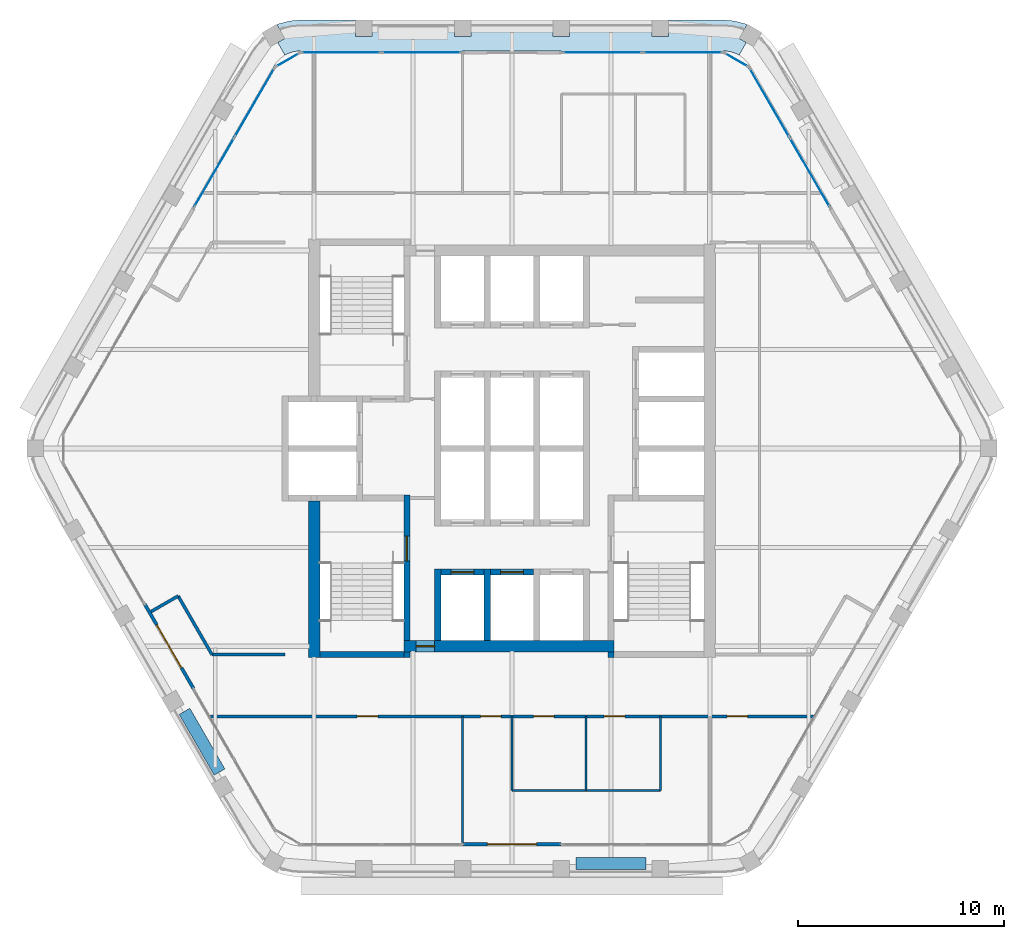
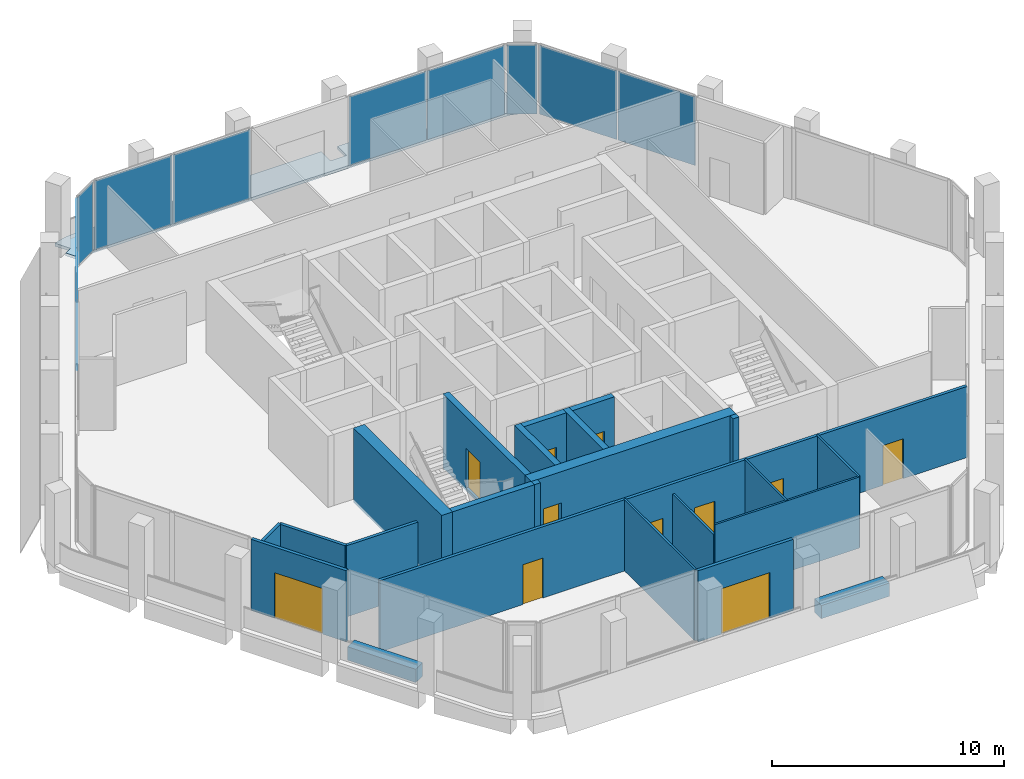
# One storey, part 7 of 13: 23 walls, 11 doors, 10 plates, 1 slab, 11 openings, 6 elements without a shape of their own.
"""IFC4 building model written with IfcOpenShell, lengths in metres."""

from ifc_helpers import new_model, si_unit, direction, frame, frame_2d, origin, origin_2d, place, context, subcontext, project, spatial, polyline, rectangle, outline, extrude, material, layer, layer_set, type_object, element, fill, aggregate, save


model = new_model("IFC4")

# Units and contexts
model_context = context("Model", 3, precision=1e-05, world=origin(), true_north=direction((0.0, 1.0)))
body_context = subcontext(model_context, "Body", "Model", "MODEL_VIEW")
ifc_project = project(units=[si_unit("LENGTHUNIT", "METRE"), si_unit("AREAUNIT", "SQUARE_METRE"), si_unit("VOLUMEUNIT", "CUBIC_METRE"), si_unit("PLANEANGLEUNIT", "RADIAN"), si_unit("MASSUNIT", "GRAM", prefix="KILO")], contexts=[model_context])

# Site, building, storey
site_placement = place(None, origin())
site = spatial("IfcSite", under=ifc_project, at=site_placement, CompositionType="ELEMENT")
building_placement = place(site_placement, origin())
building = spatial("IfcBuilding", under=site, at=building_placement, Name="Kolab Exchange Tower", CompositionType="ELEMENT")
storey_placement = place(building_placement, frame((0.0, 0.0, 257.89990234375)))
storey = spatial("IfcBuildingStorey", under=building, at=storey_placement, Name="L57", CompositionType="ELEMENT", Elevation=257.89990234375)

# Slab
ifc_material_1 = material(Name="Concrete C35/45", Category="concrete")
ifc_layer_1 = layer(ifc_material_1, 0.14990234375)
ifc_layer_set_1 = layer_set([ifc_layer_1], Name="Concrete C35/45")
slab_type = type_object("IfcSlabType", Name="LOGGIA SLAB 150", PredefinedType="FLOOR", material=ifc_layer_set_1)
slab_placement = place(storey_placement, frame((0.0, 0.0, -0.14990234375)))
element("IfcSlab", 1, at=slab_placement, inside=storey, type_object=slab_type, Name="slab/L57/loggia/0-0", PredefinedType="FLOOR", context=body_context, shape_type="SweptSolid", body=[
    extrude(outline(polyline([(11.01806640625, 19.083740234375), (11.367919921875, 19.68994140625), (11.021484375, 19.889892578125), (11.404052734375, 20.552490234375), (11.2939453125, 20.603759765625), (10.788818359375, 20.739013671875), (10.26806640625, 20.78466796875), (7.60009765625, 20.78466796875), (7.60009765625, 19.984619140625), (6.800048828125, 19.984619140625), (6.800048828125, 20.78466796875), (2.800048828125, 20.78466796875), (2.800048828125, 19.984619140625), (2.0, 19.984619140625), (2.0, 20.78466796875), (-2.0, 20.78466796875), (-2.0, 19.984619140625), (-2.800048828125, 19.984619140625), (-2.800048828125, 20.78466796875), (-6.800048828125, 20.78466796875), (-6.800048828125, 19.984619140625), (-7.60009765625, 19.984619140625), (-7.60009765625, 20.78466796875), (-10.26806640625, 20.78466796875), (-10.788818359375, 20.739013671875), (-11.2939453125, 20.603759765625), (-11.404052734375, 20.552490234375), (-11.021484375, 19.889892578125), (-11.367919921875, 19.68994140625), (-11.01806640625, 19.083740234375), (-10.781005859375, 19.194091796875), (-10.5283203125, 19.26171875), (-10.26806640625, 19.28466796875), (10.26806640625, 19.28466796875), (10.5283203125, 19.26171875), (10.781005859375, 19.194091796875), (11.01806640625, 19.083740234375)])), origin(), (0.0, 0.0, 1.0), 0.14990234375),
])

# Curtain wall, plates
ifc_material_2 = material(Name="Aluminium EN AW-6063 T6", Category="aluminium")
curtain_wall_type = type_object("IfcCurtainWallType", Name="UNITISED HIGH ZONE CURTAIN WALL", PredefinedType="NOTDEFINED", material=ifc_material_2)
curtain_wall_1_placement = place(storey_placement, origin())
curtain_wall_1 = element("IfcCurtainWall", 2, at=curtain_wall_1_placement, inside=storey, type_object=curtain_wall_type, Name="cw/L57/F1-1", PredefinedType="NOTDEFINED")
ifc_material_3 = material(Name="Clear insulated glazing unit", Category="glass")
ifc_layer_2 = layer(ifc_material_3, 0.030029296875)
ifc_layer_set_2 = layer_set([ifc_layer_2], Name="Clear insulated glazing unit")
plate_type = type_object("IfcPlateType", Name="UNITISED HIGH ZONE GLASS PANEL 30", PredefinedType="CURTAIN_PANEL", material=ifc_layer_set_2)
plate_1_placement = place(storey_placement, frame((-8.285888671875, 19.20458984375, 0.06005859375), z_axis=(0.0, 0.0, 1.0), x_axis=(1.0, 0.0, 0.0)))
plate_1 = element("IfcPlate", 3, at=plate_1_placement, type_object=plate_type, Name="CW4 panel 1.1", PredefinedType="CURTAIN_PANEL", context=body_context, shape_type="SweptSolid", body=[
    extrude(rectangle(XDim=3.843994140625, YDim=0.030029296875, at=origin_2d()), origin(), (0.0, 0.0, 1.0), 3.6298828125),
])
plate_2_placement = place(storey_placement, frame((-4.382080078125, 19.20458984375, 0.06005859375), z_axis=(0.0, 0.0, 1.0), x_axis=(1.0, 0.0, 0.0)))
plate_2 = element("IfcPlate", 4, at=plate_2_placement, type_object=plate_type, Name="CW4 panel 2.1", PredefinedType="CURTAIN_PANEL", context=body_context, shape_type="SweptSolid", body=[
    extrude(rectangle(XDim=3.843994140625, YDim=0.030029296875, at=origin_2d()), origin(), (0.0, 0.0, 1.0), 3.6298828125),
])
aggregate(curtain_wall_1, [plate_1, plate_2])

curtain_wall_2_placement = place(storey_placement, origin())
curtain_wall_2 = element("IfcCurtainWall", 5, at=curtain_wall_2_placement, inside=storey, type_object=curtain_wall_type, Name="cw/L57/F1-2", PredefinedType="NOTDEFINED")
plate_3_placement = place(storey_placement, frame((4.382080078125, 19.20458984375, 0.06005859375), z_axis=(0.0, 0.0, 1.0), x_axis=(1.0, 0.0, 0.0)))
plate_3 = element("IfcPlate", 6, at=plate_3_placement, type_object=plate_type, Name="CW4 panel 1.1", PredefinedType="CURTAIN_PANEL", context=body_context, shape_type="SweptSolid", body=[
    extrude(rectangle(XDim=3.843994140625, YDim=0.030029296875, at=origin_2d()), origin(), (0.0, 0.0, 1.0), 3.6298828125),
])
plate_4_placement = place(storey_placement, frame((8.285888671875, 19.20458984375, 0.06005859375), z_axis=(0.0, 0.0, 1.0), x_axis=(1.0, 0.0, 0.0)))
plate_4 = element("IfcPlate", 7, at=plate_4_placement, type_object=plate_type, Name="CW4 panel 2.1", PredefinedType="CURTAIN_PANEL", context=body_context, shape_type="SweptSolid", body=[
    extrude(rectangle(XDim=3.843994140625, YDim=0.030029296875, at=origin_2d()), origin(), (0.0, 0.0, 1.0), 3.6298828125),
])
aggregate(curtain_wall_2, [plate_3, plate_4])

curtain_wall_3_placement = place(storey_placement, origin())
curtain_wall_3 = element("IfcCurtainWall", 8, at=curtain_wall_3_placement, inside=storey, type_object=curtain_wall_type, Name="cw/L57/F2-1", PredefinedType="NOTDEFINED")
plate_5_placement = place(storey_placement, frame((12.48876953125, 16.778076171875, 0.06005859375), z_axis=(0.0, 0.0, 1.0), x_axis=(0.500000031681, -0.866025385493, 0.0)))
plate_5 = element("IfcPlate", 9, at=plate_5_placement, type_object=plate_type, Name="CW4 panel 1.1", PredefinedType="CURTAIN_PANEL", context=body_context, shape_type="SweptSolid", body=[
    extrude(rectangle(XDim=3.843994140625, YDim=0.030029296875, at=origin_2d()), origin(), (0.0, 0.0, 1.0), 3.6298828125),
])
plate_6_placement = place(storey_placement, frame((14.440673828125, 13.397216796875, 0.06005859375), z_axis=(0.0, 0.0, 1.0), x_axis=(0.500000031681, -0.866025385493, 0.0)))
plate_6 = element("IfcPlate", 10, at=plate_6_placement, type_object=plate_type, Name="CW4 panel 2.1", PredefinedType="CURTAIN_PANEL", context=body_context, shape_type="SweptSolid", body=[
    extrude(rectangle(XDim=3.843994140625, YDim=0.030029296875, at=origin_2d()), origin(), (0.0, 0.0, 1.0), 3.6298828125),
])
aggregate(curtain_wall_3, [plate_5, plate_6])

curtain_wall_4_placement = place(storey_placement, origin())
curtain_wall_4 = element("IfcCurtainWall", 11, at=curtain_wall_4_placement, inside=storey, type_object=curtain_wall_type, Name="cw/L57/F6-2", PredefinedType="NOTDEFINED")
plate_7_placement = place(storey_placement, frame((-14.440673828125, 13.397216796875, 0.06005859375), z_axis=(0.0, 0.0, 1.0), x_axis=(0.500000031681, 0.866025385493, 0.0)))
plate_7 = element("IfcPlate", 12, at=plate_7_placement, type_object=plate_type, Name="CW4 panel 1.1", PredefinedType="CURTAIN_PANEL", context=body_context, shape_type="SweptSolid", body=[
    extrude(rectangle(XDim=3.843994140625, YDim=0.030029296875, at=origin_2d()), origin(), (0.0, 0.0, 1.0), 3.6298828125),
])
plate_8_placement = place(storey_placement, frame((-12.48876953125, 16.778076171875, 0.06005859375), z_axis=(0.0, 0.0, 1.0), x_axis=(0.500000031681, 0.866025385493, 0.0)))
plate_8 = element("IfcPlate", 13, at=plate_8_placement, type_object=plate_type, Name="CW4 panel 2.1", PredefinedType="CURTAIN_PANEL", context=body_context, shape_type="SweptSolid", body=[
    extrude(rectangle(XDim=3.843994140625, YDim=0.030029296875, at=origin_2d()), origin(), (0.0, 0.0, 1.0), 3.6298828125),
])
aggregate(curtain_wall_4, [plate_7, plate_8])

# Curtain wall, plate
curtain_wall_5_placement = place(storey_placement, origin())
curtain_wall_5 = element("IfcCurtainWall", 14, at=curtain_wall_5_placement, inside=storey, type_object=curtain_wall_type, Name="cw/L57/F1F2-corner", PredefinedType="NOTDEFINED")
plate_9_placement = place(storey_placement, frame((10.8828125, 18.849609375, 0.06005859375), z_axis=(0.0, 0.0, 1.0), x_axis=(0.866025390869, -0.50000002237, 0.0)))
plate_9 = element("IfcPlate", 15, at=plate_9_placement, type_object=plate_type, Name="CW4 panel 1.1", PredefinedType="CURTAIN_PANEL", context=body_context, shape_type="SweptSolid", body=[
    extrude(rectangle(XDim=1.300048828125, YDim=0.030029296875, at=origin_2d()), origin(), (0.0, 0.0, 1.0), 3.6298828125),
])
aggregate(curtain_wall_5, [plate_9])

curtain_wall_6_placement = place(storey_placement, origin())
curtain_wall_6 = element("IfcCurtainWall", 16, at=curtain_wall_6_placement, inside=storey, type_object=curtain_wall_type, Name="cw/L57/F6F1-corner", PredefinedType="NOTDEFINED")
plate_10_placement = place(storey_placement, frame((-10.8828125, 18.849609375, 0.06005859375), z_axis=(0.0, 0.0, 1.0), x_axis=(0.866025390869, 0.50000002237, 0.0)))
plate_10 = element("IfcPlate", 17, at=plate_10_placement, type_object=plate_type, Name="CW4 panel 1.1", PredefinedType="CURTAIN_PANEL", context=body_context, shape_type="SweptSolid", body=[
    extrude(rectangle(XDim=1.300048828125, YDim=0.030029296875, at=origin_2d()), origin(), (0.0, 0.0, 1.0), 3.6298828125),
])
aggregate(curtain_wall_6, [plate_10])

# Wall, opening, door
ifc_material_4 = material(Name="Concrete C50/60", Category="concrete")
ifc_layer_3 = layer(ifc_material_4, 0.550048828125)
ifc_layer_set_3 = layer_set([ifc_layer_3], Name="Concrete C50/60")
wall_type_1 = type_object("IfcWallType", Name="CORE WALL 550 C50/60", PredefinedType="SHEAR", material=ifc_layer_set_3)
wall_1_placement = place(storey_placement, frame((-5.25, -9.60009765625, -0.14990234375), z_axis=(0.0, 0.0, 1.0), x_axis=(1.0, 0.0, 0.0)))
wall_1 = element("IfcWall", 18, at=wall_1_placement, inside=storey, type_object=wall_type_1, Name="wall/L57/core/002", PredefinedType="SHEAR", context=body_context, shape_type="SweptSolid", body=[
    extrude(rectangle(XDim=10.199951171875, YDim=0.550048828125, at=frame_2d((5.10009765625, 0.0))), origin(), (0.0, 0.0, 1.0), 3.89990234375),
])
opening_1_placement = place(wall_1_placement, frame((0.60009765625, 0.0, 0.14990234375)))
opening_1 = element("IfcOpeningElement", 19, at=opening_1_placement, cuts=wall_1, Name="Opening D6-297", PredefinedType="OPENING", context=body_context, shape_type="SweptSolid", body=[
    extrude(rectangle(XDim=0.89990234375, YDim=2.10009765625, at=frame_2d((0.449951171875, 1.050048828125))), frame((0.0, 0.28515625, 0.0), z_axis=(0.0, -1.0, 0.0), x_axis=(1.0, 0.0, 0.0)), (0.0, 0.0, 1.0), 0.570068359375),
])
ifc_material_5 = material(Name="Steel S235", Category="steel")
door_type_1 = type_object("IfcDoorType", Name="CORE DOOR 900 EI 120", OperationType="SINGLE_SWING_LEFT", PredefinedType="DOOR", material=ifc_material_5)
door_1_placement = place(opening_1_placement, origin())
door_1 = element("IfcDoor", 20, at=door_1_placement, inside=storey, type_object=door_type_1, Name="Core lobby door", OperationType="SINGLE_SWING_RIGHT", OverallHeight=2.10009765625, OverallWidth=0.89990234375, PredefinedType="DOOR", context=body_context, shape_type="SweptSolid", body=[
    extrude(rectangle(XDim=0.89990234375, YDim=2.10009765625, at=frame_2d((0.449951171875, 1.050048828125))), frame((0.0, 0.02490234375, 0.0), z_axis=(0.0, -1.0, 0.0), x_axis=(1.0, 0.0, 0.0)), (0.0, 0.0, 1.0), 0.050048828125),
])
fill(opening_1, door_1)

# Wall
wall_2_placement = place(storey_placement, frame((-9.60009765625, -10.14990234375, -0.14990234375), z_axis=(0.0, 0.0, 1.0), x_axis=(0.0, 1.0, 0.0)))
element("IfcWall", 21, at=wall_2_placement, inside=storey, type_object=wall_type_1, Name="wall/L57/core/034", PredefinedType="SHEAR", context=body_context, shape_type="SweptSolid", body=[
    extrude(rectangle(XDim=7.599853515625, YDim=0.550048828125, at=frame_2d((3.7998046875, 0.0))), origin(), (0.0, 0.0, 1.0), 3.89990234375),
])

# Wall, opening, door
ifc_layer_4 = layer(ifc_material_2, 0.159912109375)
ifc_layer_set_4 = layer_set([ifc_layer_4], Name="Aluminium EN AW-6063 T6")
wall_type_2 = type_object("IfcWallType", Name="DOOR SURROUND WALL 160 ALUMINIUM FRAMED", PredefinedType="PARTITIONING", material=ifc_layer_set_4)
wall_3_placement = place(storey_placement, frame((2.3701171875, -19.20458984375, 0.0), z_axis=(0.0, 0.0, 1.0), x_axis=(-1.0, 0.0, 0.0)))
wall_3 = element("IfcWall", 22, at=wall_3_placement, inside=storey, type_object=wall_type_2, Name="Door surround wall", PredefinedType="PARTITIONING", context=body_context, shape_type="SweptSolid", body=[
    extrude(rectangle(XDim=4.740234375, YDim=0.159912109375, at=frame_2d((2.3701171875, 0.0))), origin(), (0.0, 0.0, 1.0), 3.75),
])
opening_2_placement = place(wall_3_placement, frame((1.169921875, 0.0, 0.0)))
opening_2 = element("IfcOpeningElement", 23, at=opening_2_placement, cuts=wall_3, Name="Opening GD1-092", PredefinedType="OPENING", context=body_context, shape_type="SweptSolid", body=[
    extrude(rectangle(XDim=2.39990234375, YDim=2.39990234375, at=frame_2d((1.199951171875, 1.199951171875))), frame((0.0, 0.08984375, 0.0), z_axis=(0.0, -1.0, 0.0), x_axis=(1.0, 0.0, 0.0)), (0.0, 0.0, 1.0), 0.179931640625),
])
door_type_2 = type_object("IfcDoorType", Name="LOGGIA SLIDING GLASS DOOR 2400 X 2400", OperationType="DOUBLE_DOOR_SINGLE_SWING", PredefinedType="DOOR", material=ifc_material_2)
door_2_placement = place(opening_2_placement, origin())
door_2 = element("IfcDoor", 24, at=door_2_placement, inside=storey, type_object=door_type_2, Name="Loggia door", OperationType="DOUBLE_DOOR_SLIDING", OverallHeight=2.39990234375, OverallWidth=2.39990234375, PredefinedType="DOOR", context=body_context, shape_type="SweptSolid", body=[
    extrude(rectangle(XDim=2.39990234375, YDim=2.39990234375, at=frame_2d((1.199951171875, 1.199951171875))), frame((0.0, 0.02490234375, 0.0), z_axis=(0.0, -1.0, 0.0), x_axis=(1.0, 0.0, 0.0)), (0.0, 0.0, 1.0), 0.050048828125),
])
fill(opening_2, door_2)

wall_4_placement = place(storey_placement, frame((-15.44677734375, -11.65478515625, 0.0), z_axis=(0.0, 0.0, 1.0), x_axis=(-0.499978080042, 0.866038058908, 0.0)))
wall_4 = element("IfcWall", 25, at=wall_4_placement, inside=storey, type_object=wall_type_2, Name="Door surround wall", PredefinedType="PARTITIONING", context=body_context, shape_type="SweptSolid", body=[
    extrude(rectangle(XDim=4.739990234375, YDim=0.159912109375, at=frame_2d((2.3701171875, 0.0))), origin(), (0.0, 0.0, 1.0), 3.75),
])
opening_3_placement = place(wall_4_placement, frame((1.169921875, 0.0, 0.0)))
opening_3 = element("IfcOpeningElement", 26, at=opening_3_placement, cuts=wall_4, Name="Opening GD1-093", PredefinedType="OPENING", context=body_context, shape_type="SweptSolid", body=[
    extrude(rectangle(XDim=2.39990234375, YDim=2.39990234375, at=frame_2d((1.199951171875, 1.199951171875))), frame((0.0, 0.08984375, 0.0), z_axis=(0.0, -1.0, 0.0), x_axis=(1.0, 0.0, 0.0)), (0.0, 0.0, 1.0), 0.179931640625),
])
door_3_placement = place(opening_3_placement, origin())
door_3 = element("IfcDoor", 27, at=door_3_placement, inside=storey, type_object=door_type_2, Name="Loggia door", OperationType="DOUBLE_DOOR_SLIDING", OverallHeight=2.39990234375, OverallWidth=2.39990234375, PredefinedType="DOOR", context=body_context, shape_type="SweptSolid", body=[
    extrude(rectangle(XDim=2.39990234375, YDim=2.39990234375, at=frame_2d((1.199951171875, 1.199951171875))), frame((0.0, 0.02490234375, 0.0), z_axis=(0.0, -1.0, 0.0), x_axis=(1.0, 0.0, 0.0)), (0.0, 0.0, 1.0), 0.050048828125),
])
fill(opening_3, door_3)

ifc_layer_5 = layer(ifc_material_4, 0.300048828125)
ifc_layer_set_5 = layer_set([ifc_layer_5], Name="Concrete C50/60")
wall_type_3 = type_object("IfcWallType", Name="LIFT SHAFT WALL 300 C50/60", PredefinedType="STANDARD", material=ifc_layer_set_5)
wall_5_placement = place(storey_placement, frame((-3.449951171875, -6.0, -0.14990234375), z_axis=(0.0, 0.0, 1.0), x_axis=(1.0, 0.0, 0.0)))
wall_5 = element("IfcWall", 28, at=wall_5_placement, inside=storey, type_object=wall_type_3, Name="wall/L57/core/003", PredefinedType="STANDARD", context=body_context, shape_type="SweptSolid", body=[
    extrude(rectangle(XDim=2.099853515625, YDim=0.300048828125, at=frame_2d((1.0498046875, 0.0))), origin(), (0.0, 0.0, 1.0), 3.89990234375),
])
opening_4_placement = place(wall_5_placement, frame((0.5, 0.0, 0.14990234375)))
opening_4 = element("IfcOpeningElement", 29, at=opening_4_placement, cuts=wall_5, Name="Opening LD1-110", PredefinedType="OPENING", context=body_context, shape_type="SweptSolid", body=[
    extrude(rectangle(XDim=1.10009765625, YDim=2.10009765625, at=frame_2d((0.550048828125, 1.050048828125))), frame((0.0, 0.16015625, 0.0), z_axis=(0.0, -1.0, 0.0), x_axis=(1.0, 0.0, 0.0)), (0.0, 0.0, 1.0), 0.320068359375),
])
ifc_material_6 = material(Name="Stainless steel 316", Category="steel")
door_type_3 = type_object("IfcDoorType", Name="LANDING DOOR 1100 PASSENGER", OperationType="DOUBLE_DOOR_SLIDING", PredefinedType="DOOR", material=ifc_material_6)
door_4_placement = place(opening_4_placement, origin())
door_4 = element("IfcDoor", 30, at=door_4_placement, inside=storey, type_object=door_type_3, Name="Landing door HR10", OperationType="DOUBLE_DOOR_SLIDING", OverallHeight=2.10009765625, OverallWidth=1.10009765625, PredefinedType="DOOR", context=body_context, shape_type="SweptSolid", body=[
    extrude(rectangle(XDim=1.10009765625, YDim=2.10009765625, at=frame_2d((0.550048828125, 1.050048828125))), frame((0.0, 0.02490234375, 0.0), z_axis=(0.0, -1.0, 0.0), x_axis=(1.0, 0.0, 0.0)), (0.0, 0.0, 1.0), 0.050048828125),
])
fill(opening_4, door_4)

wall_6_placement = place(storey_placement, frame((-1.050048828125, -6.0, -0.14990234375), z_axis=(0.0, 0.0, 1.0), x_axis=(1.0, 0.0, 0.0)))
wall_6 = element("IfcWall", 31, at=wall_6_placement, inside=storey, type_object=wall_type_3, Name="wall/L57/core/004", PredefinedType="STANDARD", context=body_context, shape_type="SweptSolid", body=[
    extrude(rectangle(XDim=2.10009765625, YDim=0.300048828125, at=frame_2d((1.050048828125, 0.0))), origin(), (0.0, 0.0, 1.0), 3.89990234375),
])
opening_5_placement = place(wall_6_placement, frame((0.5, 0.0, 0.14990234375)))
opening_5 = element("IfcOpeningElement", 32, at=opening_5_placement, cuts=wall_6, Name="Opening LD1-111", PredefinedType="OPENING", context=body_context, shape_type="SweptSolid", body=[
    extrude(rectangle(XDim=1.10009765625, YDim=2.10009765625, at=frame_2d((0.550048828125, 1.050048828125))), frame((0.0, 0.16015625, 0.0), z_axis=(0.0, -1.0, 0.0), x_axis=(1.0, 0.0, 0.0)), (0.0, 0.0, 1.0), 0.320068359375),
])
door_5_placement = place(opening_5_placement, origin())
door_5 = element("IfcDoor", 33, at=door_5_placement, inside=storey, type_object=door_type_3, Name="Landing door HR11", OperationType="DOUBLE_DOOR_SLIDING", OverallHeight=2.10009765625, OverallWidth=1.10009765625, PredefinedType="DOOR", context=body_context, shape_type="SweptSolid", body=[
    extrude(rectangle(XDim=1.10009765625, YDim=2.10009765625, at=frame_2d((0.550048828125, 1.050048828125))), frame((0.0, 0.02490234375, 0.0), z_axis=(0.0, -1.0, 0.0), x_axis=(1.0, 0.0, 0.0)), (0.0, 0.0, 1.0), 0.050048828125),
])
fill(opening_5, door_5)

# Walls
for number, where, z_axis, x_axis, name in (
    (34, (-3.60009765625, -9.324951171875, -0.14990234375), (0.0, 0.0, 1.0), (0.0, 1.0, 0.0), "wall/L57/core/043"),
    (35, (-1.199951171875, -9.324951171875, -0.14990234375), (0.0, 0.0, 1.0), (0.0, 1.0, 0.0), "wall/L57/core/046"),
):
    element("IfcWall", number, at=place(storey_placement, frame(where, z_axis=z_axis, x_axis=x_axis)), inside=storey, type_object=wall_type_3, Name=name, PredefinedType="STANDARD", context=body_context, shape_type="SweptSolid", body=[
        extrude(rectangle(XDim=3.474853515625, YDim=0.300048828125, at=frame_2d((1.7373046875, 0.0))), origin(), (0.0, 0.0, 1.0), 3.89990234375),
    ])
ifc_material_7 = material(Name="Gypsum board", Category="gypsum")
ifc_layer_6 = layer(ifc_material_7, 0.10009765625)
ifc_layer_set_6 = layer_set([ifc_layer_6], Name="Gypsum board")
wall_type_4 = type_object("IfcWallType", Name="PARTITION 100", PredefinedType="PARTITIONING", material=ifc_layer_set_6)
for number, where, z_axis, x_axis, name in (
    (36, (7.199951171875, -16.60009765625, 0.0), (0.0, 0.0, 1.0), (0.0, 1.0, 0.0), "Partition 004"),
    (37, (3.60009765625, -16.60009765625, 0.0), (0.0, 0.0, 1.0), (0.0, 1.0, 0.0), "Partition 006"),
):
    element("IfcWall", number, at=place(storey_placement, frame(where, z_axis=z_axis, x_axis=x_axis)), inside=storey, type_object=wall_type_4, Name=name, PredefinedType="PARTITIONING", context=body_context, shape_type="SweptSolid", body=[
        extrude(rectangle(XDim=3.60009765625, YDim=0.10009765625, at=frame_2d((1.800048828125, 0.0))), origin(), (0.0, 0.0, 1.0), 3.75),
    ])
wall_7_placement = place(storey_placement, frame((0.0, -16.60009765625, 0.0), z_axis=(0.0, 0.0, 1.0), x_axis=(0.0, 1.0, 0.0)))
element("IfcWall", 38, at=wall_7_placement, inside=storey, type_object=wall_type_4, Name="Partition 008", PredefinedType="PARTITIONING", context=body_context, shape_type="SweptSolid", body=[
    extrude(rectangle(XDim=3.60009765625, YDim=0.10009765625, at=frame_2d((1.800048828125, 0.0))), origin(), (0.0, 0.0, 1.0), 3.217041015625),
])
wall_8_placement = place(storey_placement, frame((-2.39990234375, -19.12451171875, 0.0), z_axis=(0.0, 0.0, 1.0), x_axis=(0.0, 1.0, 0.0)))
element("IfcWall", 39, at=wall_8_placement, inside=storey, type_object=wall_type_4, Name="Partition 009", PredefinedType="PARTITIONING", context=body_context, shape_type="SweptSolid", body=[
    extrude(rectangle(XDim=6.12451171875, YDim=0.10009765625, at=frame_2d((3.062255859375, 0.0))), origin(), (0.0, 0.0, 1.0), 3.75),
])
wall_9_placement = place(storey_placement, frame((0.0, -16.60009765625, 0.0), z_axis=(0.0, 0.0, 1.0), x_axis=(1.0, 0.0, 0.0)))
element("IfcWall", 40, at=wall_9_placement, inside=storey, type_object=wall_type_4, Name="Partition 020", PredefinedType="PARTITIONING", context=body_context, shape_type="SweptSolid", body=[
    extrude(rectangle(XDim=7.199951171875, YDim=0.10009765625, at=frame_2d((3.60009765625, 0.0))), origin(), (0.0, 0.0, 1.0), 3.75),
])
ifc_layer_7 = layer(ifc_material_7, 0.14990234375)
ifc_layer_set_7 = layer_set([ifc_layer_7], Name="Gypsum board")
wall_type_5 = type_object("IfcWallType", Name="PARTITION 150 FIRE-RATED", PredefinedType="PARTITIONING", material=ifc_layer_set_7)
wall_10_placement = place(storey_placement, frame((-16.196044921875, -7.15673828125, 0.0), z_axis=(0.0, 0.0, 1.0), x_axis=(0.499954196102, -0.866051847062, 0.0)))
element("IfcWall", 41, at=wall_10_placement, inside=storey, type_object=wall_type_5, Name="Partition 012", PredefinedType="PARTITIONING", context=body_context, shape_type="SweptSolid", body=[
    extrude(rectangle(XDim=3.282958984375, YDim=0.14990234375, at=frame_2d((1.6416015625, 0.0))), origin(), (0.0, 0.0, 1.0), 3.75),
])
wall_11_placement = place(storey_placement, frame((-17.512451171875, -7.9169921875, 0.0), z_axis=(0.0, 0.0, 1.0), x_axis=(0.865960906633, 0.500111695708, 0.0)))
element("IfcWall", 42, at=wall_11_placement, inside=storey, type_object=wall_type_5, Name="Partition 019", PredefinedType="PARTITIONING", context=body_context, shape_type="SweptSolid", body=[
    extrude(rectangle(XDim=1.520263671875, YDim=0.14990234375, at=frame_2d((0.76025390625, 0.0))), origin(), (0.0, 0.0, 1.0), 3.75),
])

# Wall, openings, doors
wall_12_placement = place(storey_placement, frame((-14.623779296875, -13.0, 0.0), z_axis=(0.0, 0.0, 1.0), x_axis=(1.0, 0.0, 0.0)))
wall_12 = element("IfcWall", 43, at=wall_12_placement, inside=storey, type_object=wall_type_5, Name="Partition 021", PredefinedType="PARTITIONING", context=body_context, shape_type="SweptSolid", body=[
    extrude(rectangle(XDim=29.24755859375, YDim=0.14990234375, at=frame_2d((14.623779296875, 0.0))), origin(), (0.0, 0.0, 1.0), 3.75),
])
opening_6_placement = place(wall_12_placement, frame((15.668701171875, 0.0, 0.0)))
opening_6 = element("IfcOpeningElement", 44, at=opening_6_placement, cuts=wall_12, Name="Opening D1-707", PredefinedType="OPENING", context=body_context, shape_type="SweptSolid", body=[
    extrude(rectangle(XDim=1.0, YDim=2.10009765625, at=frame_2d((0.5, 1.050048828125))), frame((0.0, 0.0849609375, 0.0), z_axis=(0.0, -1.0, 0.0), x_axis=(1.0, 0.0, 0.0)), (0.0, 0.0, 1.0), 0.169921875),
])
opening_7_placement = place(wall_12_placement, frame((19.098876953125, 0.0, 0.0)))
opening_7 = element("IfcOpeningElement", 45, at=opening_7_placement, cuts=wall_12, Name="Opening D1-708", PredefinedType="OPENING", context=body_context, shape_type="SweptSolid", body=[
    extrude(rectangle(XDim=1.0, YDim=2.10009765625, at=frame_2d((0.5, 1.050048828125))), frame((0.0, 0.0849609375, 0.0), z_axis=(0.0, -1.0, 0.0), x_axis=(1.0, 0.0, 0.0)), (0.0, 0.0, 1.0), 0.169921875),
])
opening_8_placement = place(wall_12_placement, frame((7.112060546875, 0.0, 0.0)))
opening_8 = element("IfcOpeningElement", 46, at=opening_8_placement, cuts=wall_12, Name="Opening D1-709", PredefinedType="OPENING", context=body_context, shape_type="SweptSolid", body=[
    extrude(rectangle(XDim=1.0, YDim=2.10009765625, at=frame_2d((0.5, 1.050048828125))), frame((0.0, 0.0849609375, 0.0), z_axis=(0.0, -1.0, 0.0), x_axis=(1.0, 0.0, 0.0)), (0.0, 0.0, 1.0), 0.169921875),
])
opening_9_placement = place(wall_12_placement, frame((13.098876953125, 0.0, 0.0)))
opening_9 = element("IfcOpeningElement", 47, at=opening_9_placement, cuts=wall_12, Name="Opening D1-710", PredefinedType="OPENING", context=body_context, shape_type="SweptSolid", body=[
    extrude(rectangle(XDim=1.0, YDim=2.10009765625, at=frame_2d((0.5, 1.050048828125))), frame((0.0, 0.0849609375, 0.0), z_axis=(0.0, -1.0, 0.0), x_axis=(1.0, 0.0, 0.0)), (0.0, 0.0, 1.0), 0.169921875),
])
opening_10_placement = place(wall_12_placement, frame((25.05810546875, 0.0, 0.0)))
opening_10 = element("IfcOpeningElement", 48, at=opening_10_placement, cuts=wall_12, Name="Opening D1-711", PredefinedType="OPENING", context=body_context, shape_type="SweptSolid", body=[
    extrude(rectangle(XDim=1.0, YDim=2.10009765625, at=frame_2d((0.5, 1.050048828125))), frame((0.0, 0.0849609375, 0.0), z_axis=(0.0, -1.0, 0.0), x_axis=(1.0, 0.0, 0.0)), (0.0, 0.0, 1.0), 0.169921875),
])
door_type_4 = type_object("IfcDoorType", Name="FLUSH DOOR 1000 FD60", OperationType="SINGLE_SWING_LEFT", PredefinedType="DOOR", material=ifc_material_5)
door_6_placement = place(opening_6_placement, frame((1.0, 0.0, 0.0), z_axis=(0.0, 0.0, 1.0), x_axis=(-1.0, 0.0, 0.0)))
door_6 = element("IfcDoor", 49, at=door_6_placement, inside=storey, type_object=door_type_4, Name="Door L57-035", OperationType="SINGLE_SWING_LEFT", OverallHeight=2.10009765625, OverallWidth=1.0, PredefinedType="DOOR", context=body_context, shape_type="SweptSolid", body=[
    extrude(rectangle(XDim=1.0, YDim=2.10009765625, at=frame_2d((0.5, 1.050048828125))), frame((0.0, 0.02490234375, 0.0), z_axis=(0.0, -1.0, 0.0), x_axis=(1.0, 0.0, 0.0)), (0.0, 0.0, 1.0), 0.050048828125),
])
fill(opening_6, door_6)
door_7_placement = place(opening_7_placement, frame((1.0, 0.0, 0.0), z_axis=(0.0, 0.0, 1.0), x_axis=(-1.0, 0.0, 0.0)))
door_7 = element("IfcDoor", 50, at=door_7_placement, inside=storey, type_object=door_type_4, Name="Door L57-036", OperationType="SINGLE_SWING_LEFT", OverallHeight=2.10009765625, OverallWidth=1.0, PredefinedType="DOOR", context=body_context, shape_type="SweptSolid", body=[
    extrude(rectangle(XDim=1.0, YDim=2.10009765625, at=frame_2d((0.5, 1.050048828125))), frame((0.0, 0.02490234375, 0.0), z_axis=(0.0, -1.0, 0.0), x_axis=(1.0, 0.0, 0.0)), (0.0, 0.0, 1.0), 0.050048828125),
])
fill(opening_7, door_7)
door_8_placement = place(opening_8_placement, frame((1.0, 0.0, 0.0), z_axis=(0.0, 0.0, 1.0), x_axis=(-1.0, 0.0, 0.0)))
door_8 = element("IfcDoor", 51, at=door_8_placement, inside=storey, type_object=door_type_4, Name="Door L57-037", OperationType="SINGLE_SWING_RIGHT", OverallHeight=2.10009765625, OverallWidth=1.0, PredefinedType="DOOR", context=body_context, shape_type="SweptSolid", body=[
    extrude(rectangle(XDim=1.0, YDim=2.10009765625, at=frame_2d((0.5, 1.050048828125))), frame((0.0, 0.02490234375, 0.0), z_axis=(0.0, -1.0, 0.0), x_axis=(1.0, 0.0, 0.0)), (0.0, 0.0, 1.0), 0.050048828125),
])
fill(opening_8, door_8)
door_9_placement = place(opening_9_placement, frame((1.0, 0.0, 0.0), z_axis=(0.0, 0.0, 1.0), x_axis=(-1.0, 0.0, 0.0)))
door_9 = element("IfcDoor", 52, at=door_9_placement, inside=storey, type_object=door_type_4, Name="Door L57-038", OperationType="SINGLE_SWING_RIGHT", OverallHeight=2.10009765625, OverallWidth=1.0, PredefinedType="DOOR", context=body_context, shape_type="SweptSolid", body=[
    extrude(rectangle(XDim=1.0, YDim=2.10009765625, at=frame_2d((0.5, 1.050048828125))), frame((0.0, 0.02490234375, 0.0), z_axis=(0.0, -1.0, 0.0), x_axis=(1.0, 0.0, 0.0)), (0.0, 0.0, 1.0), 0.050048828125),
])
fill(opening_9, door_9)
door_10_placement = place(opening_10_placement, frame((1.0, 0.0, 0.0), z_axis=(0.0, 0.0, 1.0), x_axis=(-1.0, 0.0, 0.0)))
door_10 = element("IfcDoor", 53, at=door_10_placement, inside=storey, type_object=door_type_4, Name="Door L57-039", OperationType="SINGLE_SWING_LEFT", OverallHeight=2.10009765625, OverallWidth=1.0, PredefinedType="DOOR", context=body_context, shape_type="SweptSolid", body=[
    extrude(rectangle(XDim=1.0, YDim=2.10009765625, at=frame_2d((0.5, 1.050048828125))), frame((0.0, 0.02490234375, 0.0), z_axis=(0.0, -1.0, 0.0), x_axis=(1.0, 0.0, 0.0)), (0.0, 0.0, 1.0), 0.050048828125),
])
fill(opening_10, door_10)

# Walls
wall_13_placement = place(storey_placement, frame((-14.5546875, -10.0, 0.0), z_axis=(0.0, 0.0, 1.0), x_axis=(1.0, 0.0, 0.0)))
element("IfcWall", 54, at=wall_13_placement, inside=storey, type_object=wall_type_5, Name="Partition 022", PredefinedType="PARTITIONING", context=body_context, shape_type="SweptSolid", body=[
    extrude(rectangle(XDim=3.5546875, YDim=0.14990234375, at=frame_2d((1.77734375, 0.0))), origin(), (0.0, 0.0, 1.0), 3.75),
])
ifc_material_8 = material(Name="Granite facing", Category="masonry")
ifc_layer_8 = layer(ifc_material_8, 0.0400390625)
ifc_material_9 = material(Name="Concrete C40/50 precast", Category="concrete")
ifc_layer_9 = layer(ifc_material_9, 0.56005859375)
ifc_layer_set_8 = layer_set([ifc_layer_8, ifc_layer_9], Name="Concrete C40/50 precast")
wall_type_6 = type_object("IfcWallType", Name="PLANTER BOX 600 X 700 SOIL DEPTH 550", PredefinedType="USERDEFINED", material=ifc_layer_set_8)
wall_14_placement = place(storey_placement, frame((6.5, -20.134521484375, 0.0), z_axis=(0.0, 0.0, 1.0), x_axis=(-1.0, 0.0, 0.0)))
element("IfcWall", 55, at=wall_14_placement, inside=storey, type_object=wall_type_6, Name="Planter", ObjectType="PLANTER", PredefinedType="USERDEFINED", context=body_context, shape_type="SweptSolid", body=[
    extrude(rectangle(XDim=3.39990234375, YDim=0.60009765625, at=frame_2d((1.699951171875, 0.0))), origin(), (0.0, 0.0, 1.0), 0.7001953125),
])
wall_15_placement = place(storey_placement, frame((-14.18701171875, -15.696533203125, 0.0), z_axis=(0.0, 0.0, 1.0), x_axis=(-0.499977295307, 0.866038511948, 0.0)))
element("IfcWall", 56, at=wall_15_placement, inside=storey, type_object=wall_type_6, Name="Planter", ObjectType="PLANTER", PredefinedType="USERDEFINED", context=body_context, shape_type="SweptSolid", body=[
    extrude(rectangle(XDim=3.400146484375, YDim=0.60009765625, at=frame_2d((1.7001953125, 0.0))), origin(), (0.0, 0.0, 1.0), 0.7001953125),
])
ifc_layer_10 = layer(ifc_material_4, 0.300048828125)
ifc_layer_set_9 = layer_set([ifc_layer_10], Name="Concrete C50/60")
wall_type_7 = type_object("IfcWallType", Name="STAIR ENCLOSURE WALL 300 C50/60", PredefinedType="STANDARD", material=ifc_layer_set_9)
wall_16_placement = place(storey_placement, frame((-9.324951171875, -10.0, -0.14990234375), z_axis=(0.0, 0.0, 1.0), x_axis=(1.0, 0.0, 0.0)))
element("IfcWall", 57, at=wall_16_placement, inside=storey, type_object=wall_type_7, Name="wall/L57/core/000", PredefinedType="STANDARD", context=body_context, shape_type="SweptSolid", body=[
    extrude(rectangle(XDim=4.074951171875, YDim=0.300048828125, at=frame_2d((2.03759765625, 0.0))), origin(), (0.0, 0.0, 1.0), 3.89990234375),
])
wall_17_placement = place(storey_placement, frame((-5.10009765625, -10.14990234375, -0.14990234375), z_axis=(0.0, 0.0, 1.0), x_axis=(0.0, 1.0, 0.0)))
element("IfcWall", 58, at=wall_17_placement, inside=storey, type_object=wall_type_7, Name="wall/L57/core/039", PredefinedType="STANDARD", context=body_context, shape_type="SweptSolid", body=[
    extrude(rectangle(XDim=0.27490234375, YDim=0.300048828125, at=frame_2d((0.137451171875, 0.0))), origin(), (0.0, 0.0, 1.0), 3.89990234375),
])

# Wall, opening, door
wall_18_placement = place(storey_placement, frame((-5.10009765625, -9.324951171875, -0.14990234375), z_axis=(0.0, 0.0, 1.0), x_axis=(0.0, 1.0, 0.0)))
wall_18 = element("IfcWall", 59, at=wall_18_placement, inside=storey, type_object=wall_type_7, Name="wall/L57/core/040", PredefinedType="STANDARD", context=body_context, shape_type="SweptSolid", body=[
    extrude(rectangle(XDim=7.074951171875, YDim=0.300048828125, at=frame_2d((3.53759765625, 0.0))), origin(), (0.0, 0.0, 1.0), 3.89990234375),
])
opening_11_placement = place(wall_18_placement, frame((3.875, 0.0, 0.14990234375)))
opening_11 = element("IfcOpeningElement", 60, at=opening_11_placement, cuts=wall_18, Name="Opening D4-078", PredefinedType="OPENING", context=body_context, shape_type="SweptSolid", body=[
    extrude(rectangle(XDim=1.199951171875, YDim=2.10009765625, at=frame_2d((0.60009765625, 1.050048828125))), frame((0.0, 0.16015625, 0.0), z_axis=(0.0, -1.0, 0.0), x_axis=(1.0, 0.0, 0.0)), (0.0, 0.0, 1.0), 0.320068359375),
])
door_type_5 = type_object("IfcDoorType", Name="STAIR DOOR 1200 EI 120", OperationType="SINGLE_SWING_LEFT", PredefinedType="DOOR", material=ifc_material_5)
door_11_placement = place(opening_11_placement, origin())
door_11 = element("IfcDoor", 61, at=door_11_placement, inside=storey, type_object=door_type_5, Name="Stair 3 door", OperationType="SINGLE_SWING_RIGHT", OverallHeight=2.10009765625, OverallWidth=1.199951171875, PredefinedType="DOOR", context=body_context, shape_type="SweptSolid", body=[
    extrude(rectangle(XDim=1.199951171875, YDim=2.10009765625, at=frame_2d((0.60009765625, 1.050048828125))), frame((0.0, 0.02490234375, 0.0), z_axis=(0.0, -1.0, 0.0), x_axis=(1.0, 0.0, 0.0)), (0.0, 0.0, 1.0), 0.050048828125),
])
fill(opening_11, door_11)

# Wall
wall_19_placement = place(storey_placement, frame((4.800048828125, -10.14990234375, -0.14990234375), z_axis=(0.0, 0.0, 1.0), x_axis=(0.0, 1.0, 0.0)))
element("IfcWall", 62, at=wall_19_placement, inside=storey, type_object=wall_type_7, Name="wall/L57/core/055", PredefinedType="STANDARD", context=body_context, shape_type="SweptSolid", body=[
    extrude(rectangle(XDim=0.27490234375, YDim=0.300048828125, at=frame_2d((0.137451171875, 0.0))), origin(), (0.0, 0.0, 1.0), 3.89990234375),
])

save(model, "model.ifc")
